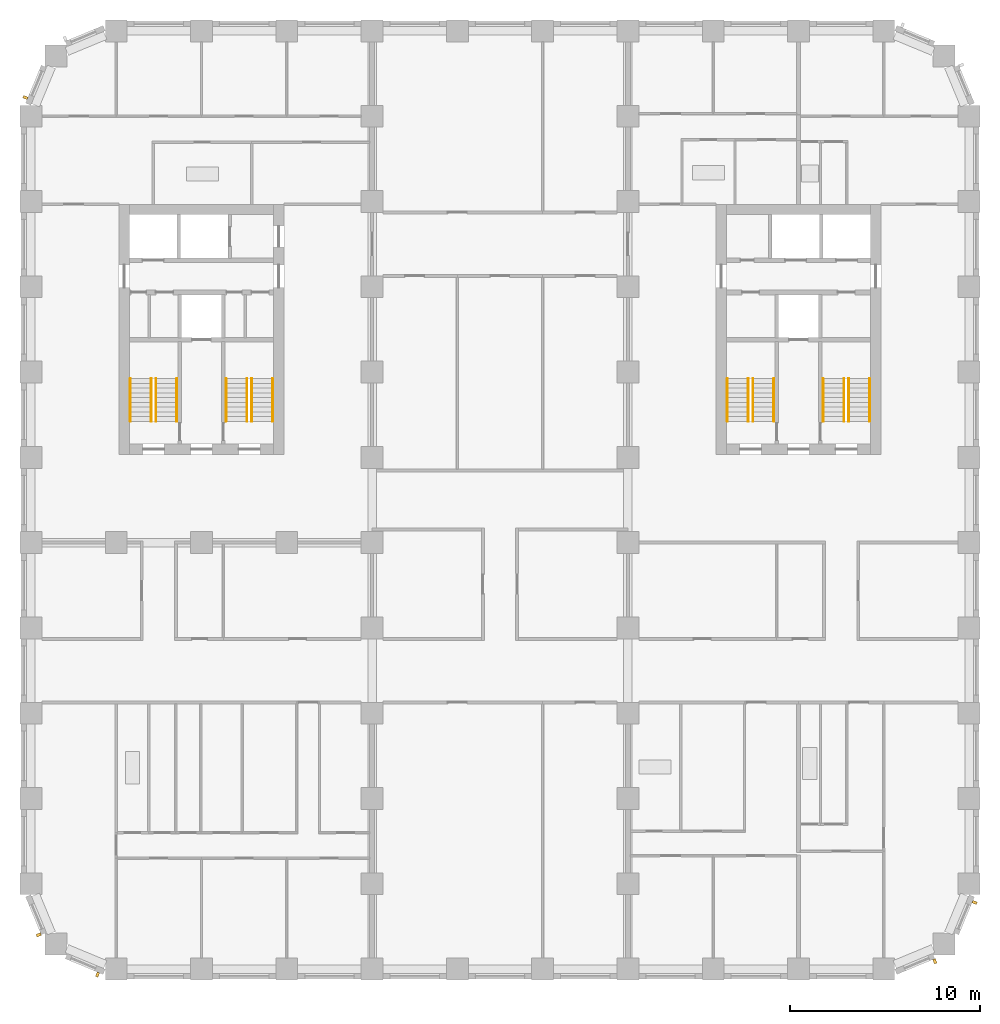
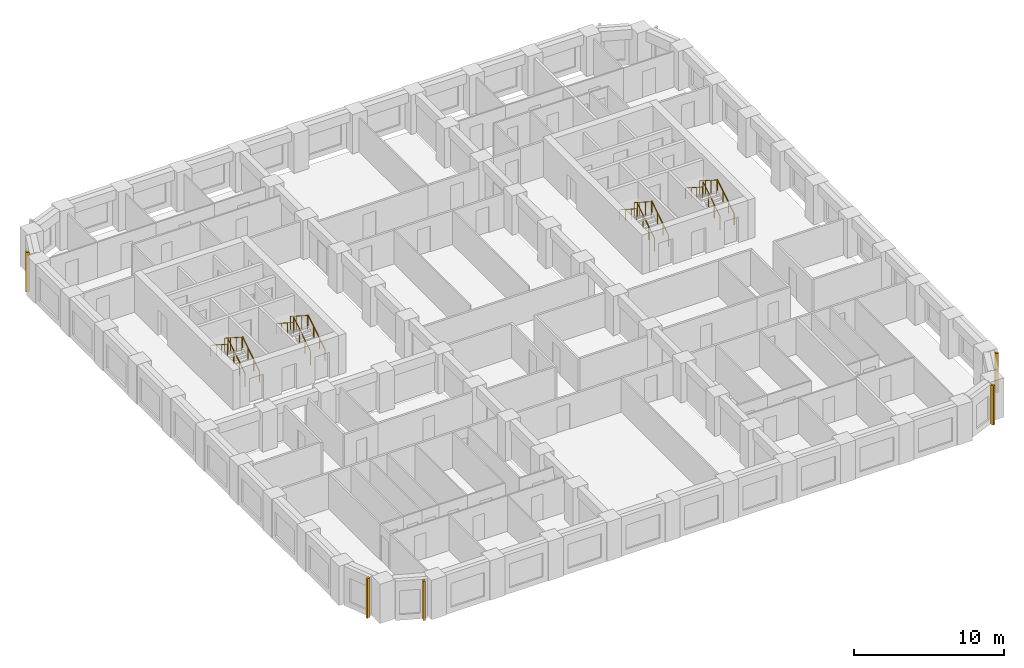
# One storey, part 11 of 13: 16 railings, 5 shading devices.
"""IFC4 building model written with IfcOpenShell, lengths in metres."""

from ifc_helpers import new_model, si_unit, direction, frame, origin, origin_2d, place, context, subcontext, project, spatial, rectangle, circle, extrude, material, type_object, element, save


model = new_model("IFC4")

# Units and contexts
model_context = context("Model", 3, precision=1e-05, world=origin(), true_north=direction((0.0, 1.0)))
body_context = subcontext(model_context, "Body", "Model", "MODEL_VIEW")
ifc_project = project(units=[si_unit("LENGTHUNIT", "METRE"), si_unit("AREAUNIT", "SQUARE_METRE"), si_unit("VOLUMEUNIT", "CUBIC_METRE"), si_unit("PLANEANGLEUNIT", "RADIAN"), si_unit("MASSUNIT", "GRAM", prefix="KILO")], contexts=[model_context])

# Site, building, storey
site_placement = place(None, origin())
site = spatial("IfcSite", under=ifc_project, at=site_placement, CompositionType="ELEMENT")
building_placement = place(site_placement, origin())
building = spatial("IfcBuilding", under=site, at=building_placement, Name="Girih Gate Residences", CompositionType="ELEMENT")
storey_placement = place(building_placement, frame((0.0, 0.0, 99.199951171875)))
storey = spatial("IfcBuildingStorey", under=building, at=storey_placement, Name="L27", CompositionType="ELEMENT", Elevation=99.199951171875)

# Shading devices
ifc_material_1 = material(Name="Precast concrete C50/60", Category="concrete")
shading_device_type = type_object("IfcShadingDeviceType", Name="Corner rib 150x250", PredefinedType="USERDEFINED", material=ifc_material_1)
for number, where, z_axis, x_axis, name in (
    (1, (0.412353515625, 1.8056640625, 0.0), (0.0, 0.0, 1.0), (0.382683432365, -0.923879532511, 0.0), "Corner rib SW0000_0045.0"),
    (2, (3.514892578125, -0.29541015625, 0.0), (0.0, 0.0, 1.0), (0.923879532511, -0.382683432365, 0.0), "Corner rib SW0013_0013.0"),
    (3, (47.6943359375, 0.412353515625, 0.0), (0.0, 0.0, 1.0), (0.923879532511, 0.382683432365, 0.0), "Corner rib SE0450_0000.0"),
    (4, (49.79541015625, 3.514892578125, 0.0), (0.0, 0.0, 1.0), (0.382683432365, 0.923879532511, 0.0), "Corner rib SE0482_0013.0"),
    (5, (-0.29541015625, 45.985107421875, 0.0), (0.0, 0.0, 1.0), (-0.382683432365, -0.923879532511, 0.0), "Corner rib NW0013_0482.0"),
):
    element("IfcShadingDevice", number, at=place(storey_placement, frame(where, z_axis=z_axis, x_axis=x_axis)), inside=storey, type_object=shading_device_type, Name=name, ObjectType="FIN", PredefinedType="USERDEFINED", context=body_context, shape_type="SweptSolid", body=[
        extrude(rectangle(XDim=0.14990234375, YDim=0.25, at=origin_2d()), origin(), (0.0, 0.0, 1.0), 3.199951171875),
    ])

# Railings
ifc_material_2 = material(Name="Stainless steel", Category="steel")
railing_type_1 = type_object("IfcRailingType", Name="Stair guard 1100", PredefinedType="GUARDRAIL", material=ifc_material_2)
railing_1_placement = place(storey_placement, frame((6.60009765625, 28.89990234375, 0.16015625)))
element("IfcRailing", 6, at=railing_1_placement, inside=storey, type_object=railing_type_1, Name="L27 ST-W1 stair guard 1", PredefinedType="GUARDRAIL", context=body_context, shape_type="SweptSolid", body=[
    extrude(circle(Radius=0.02392578125, at=origin_2d()), frame((0.0, 0.0, 1.076171875), z_axis=(0.0, 0.842281359387, 0.539038135598), x_axis=(-1.0, 0.0, 0.0)), (0.0, 0.0, 1.0), 2.67138671875),
    extrude(circle(Radius=0.02099609375, at=origin_2d()), origin(), (0.0, 0.0, 1.0), 1.052001953125),
    extrude(circle(Radius=0.02099609375, at=origin_2d()), frame((0.0, 0.75, 0.47998046875)), (0.0, 0.0, 1.0), 1.052001953125),
    extrude(circle(Radius=0.02099609375, at=origin_2d()), frame((0.0, 1.5, 0.9599609375)), (0.0, 0.0, 1.0), 1.052001953125),
    extrude(circle(Radius=0.02099609375, at=origin_2d()), frame((0.0, 2.25, 1.43994140625)), (0.0, 0.0, 1.0), 1.052001953125),
])
railing_2_placement = place(storey_placement, frame((6.35009765625, 31.14990234375, 1.760009765625)))
element("IfcRailing", 7, at=railing_2_placement, inside=storey, type_object=railing_type_1, Name="L27 ST-W1 stair guard 2", PredefinedType="GUARDRAIL", context=body_context, shape_type="SweptSolid", body=[
    extrude(circle(Radius=0.02392578125, at=origin_2d()), frame((0.0, 0.0, 1.076171875), z_axis=(0.0, -0.842281359387, 0.539038135598), x_axis=(1.0, 0.0, 0.0)), (0.0, 0.0, 1.0), 2.67138671875),
    extrude(circle(Radius=0.02099609375, at=origin_2d()), origin(), (0.0, 0.0, 1.0), 1.052001953125),
    extrude(circle(Radius=0.02099609375, at=origin_2d()), frame((0.0, -0.75, 0.47998046875)), (0.0, 0.0, 1.0), 1.052001953125),
    extrude(circle(Radius=0.02099609375, at=origin_2d()), frame((0.0, -1.5, 0.9599609375)), (0.0, 0.0, 1.0), 1.052001953125),
    extrude(circle(Radius=0.02099609375, at=origin_2d()), frame((0.0, -2.25, 1.43994140625)), (0.0, 0.0, 1.0), 1.052001953125),
])
railing_3_placement = place(storey_placement, frame((11.64990234375, 28.89990234375, 0.16015625)))
element("IfcRailing", 8, at=railing_3_placement, inside=storey, type_object=railing_type_1, Name="L27 ST-W2 stair guard 1", PredefinedType="GUARDRAIL", context=body_context, shape_type="SweptSolid", body=[
    extrude(circle(Radius=0.02392578125, at=origin_2d()), frame((0.0, 0.0, 1.076171875), z_axis=(0.0, 0.842281359387, 0.539038135598), x_axis=(-1.0, 0.0, 0.0)), (0.0, 0.0, 1.0), 2.67138671875),
    extrude(circle(Radius=0.02099609375, at=origin_2d()), origin(), (0.0, 0.0, 1.0), 1.052001953125),
    extrude(circle(Radius=0.02099609375, at=origin_2d()), frame((0.0, 0.75, 0.47998046875)), (0.0, 0.0, 1.0), 1.052001953125),
    extrude(circle(Radius=0.02099609375, at=origin_2d()), frame((0.0, 1.5, 0.9599609375)), (0.0, 0.0, 1.0), 1.052001953125),
    extrude(circle(Radius=0.02099609375, at=origin_2d()), frame((0.0, 2.25, 1.43994140625)), (0.0, 0.0, 1.0), 1.052001953125),
])
railing_4_placement = place(storey_placement, frame((11.39990234375, 31.14990234375, 1.760009765625)))
element("IfcRailing", 9, at=railing_4_placement, inside=storey, type_object=railing_type_1, Name="L27 ST-W2 stair guard 2", PredefinedType="GUARDRAIL", context=body_context, shape_type="SweptSolid", body=[
    extrude(circle(Radius=0.02392578125, at=origin_2d()), frame((0.0, 0.0, 1.076171875), z_axis=(0.0, -0.842281359387, 0.539038135598), x_axis=(1.0, 0.0, 0.0)), (0.0, 0.0, 1.0), 2.67138671875),
    extrude(circle(Radius=0.02099609375, at=origin_2d()), origin(), (0.0, 0.0, 1.0), 1.052001953125),
    extrude(circle(Radius=0.02099609375, at=origin_2d()), frame((0.0, -0.75, 0.47998046875)), (0.0, 0.0, 1.0), 1.052001953125),
    extrude(circle(Radius=0.02099609375, at=origin_2d()), frame((0.0, -1.5, 0.9599609375)), (0.0, 0.0, 1.0), 1.052001953125),
    extrude(circle(Radius=0.02099609375, at=origin_2d()), frame((0.0, -2.25, 1.43994140625)), (0.0, 0.0, 1.0), 1.052001953125),
])
railing_5_placement = place(storey_placement, frame((43.14990234375, 28.89990234375, 0.16015625)))
element("IfcRailing", 10, at=railing_5_placement, inside=storey, type_object=railing_type_1, Name="L27 ST-E1 stair guard 1", PredefinedType="GUARDRAIL", context=body_context, shape_type="SweptSolid", body=[
    extrude(circle(Radius=0.02392578125, at=origin_2d()), frame((0.0, 0.0, 1.076171875), z_axis=(0.0, 0.842281359387, 0.539038135598), x_axis=(-1.0, 0.0, 0.0)), (0.0, 0.0, 1.0), 2.67138671875),
    extrude(circle(Radius=0.02099609375, at=origin_2d()), origin(), (0.0, 0.0, 1.0), 1.052001953125),
    extrude(circle(Radius=0.02099609375, at=origin_2d()), frame((0.0, 0.75, 0.47998046875)), (0.0, 0.0, 1.0), 1.052001953125),
    extrude(circle(Radius=0.02099609375, at=origin_2d()), frame((0.0, 1.5, 0.9599609375)), (0.0, 0.0, 1.0), 1.052001953125),
    extrude(circle(Radius=0.02099609375, at=origin_2d()), frame((0.0, 2.25, 1.43994140625)), (0.0, 0.0, 1.0), 1.052001953125),
])
railing_6_placement = place(storey_placement, frame((42.89990234375, 31.14990234375, 1.760009765625)))
element("IfcRailing", 11, at=railing_6_placement, inside=storey, type_object=railing_type_1, Name="L27 ST-E1 stair guard 2", PredefinedType="GUARDRAIL", context=body_context, shape_type="SweptSolid", body=[
    extrude(circle(Radius=0.02392578125, at=origin_2d()), frame((0.0, 0.0, 1.076171875), z_axis=(0.0, -0.842281359387, 0.539038135598), x_axis=(1.0, 0.0, 0.0)), (0.0, 0.0, 1.0), 2.67138671875),
    extrude(circle(Radius=0.02099609375, at=origin_2d()), origin(), (0.0, 0.0, 1.0), 1.052001953125),
    extrude(circle(Radius=0.02099609375, at=origin_2d()), frame((0.0, -0.75, 0.47998046875)), (0.0, 0.0, 1.0), 1.052001953125),
    extrude(circle(Radius=0.02099609375, at=origin_2d()), frame((0.0, -1.5, 0.9599609375)), (0.0, 0.0, 1.0), 1.052001953125),
    extrude(circle(Radius=0.02099609375, at=origin_2d()), frame((0.0, -2.25, 1.43994140625)), (0.0, 0.0, 1.0), 1.052001953125),
])
railing_7_placement = place(storey_placement, frame((38.10009765625, 28.89990234375, 0.16015625)))
element("IfcRailing", 12, at=railing_7_placement, inside=storey, type_object=railing_type_1, Name="L27 ST-E2 stair guard 1", PredefinedType="GUARDRAIL", context=body_context, shape_type="SweptSolid", body=[
    extrude(circle(Radius=0.02392578125, at=origin_2d()), frame((0.0, 0.0, 1.076171875), z_axis=(0.0, 0.842281359387, 0.539038135598), x_axis=(-1.0, 0.0, 0.0)), (0.0, 0.0, 1.0), 2.67138671875),
    extrude(circle(Radius=0.02099609375, at=origin_2d()), origin(), (0.0, 0.0, 1.0), 1.052001953125),
    extrude(circle(Radius=0.02099609375, at=origin_2d()), frame((0.0, 0.75, 0.47998046875)), (0.0, 0.0, 1.0), 1.052001953125),
    extrude(circle(Radius=0.02099609375, at=origin_2d()), frame((0.0, 1.5, 0.9599609375)), (0.0, 0.0, 1.0), 1.052001953125),
    extrude(circle(Radius=0.02099609375, at=origin_2d()), frame((0.0, 2.25, 1.43994140625)), (0.0, 0.0, 1.0), 1.052001953125),
])
railing_8_placement = place(storey_placement, frame((37.85009765625, 31.14990234375, 1.760009765625)))
element("IfcRailing", 13, at=railing_8_placement, inside=storey, type_object=railing_type_1, Name="L27 ST-E2 stair guard 2", PredefinedType="GUARDRAIL", context=body_context, shape_type="SweptSolid", body=[
    extrude(circle(Radius=0.02392578125, at=origin_2d()), frame((0.0, 0.0, 1.076171875), z_axis=(0.0, -0.842281359387, 0.539038135598), x_axis=(1.0, 0.0, 0.0)), (0.0, 0.0, 1.0), 2.67138671875),
    extrude(circle(Radius=0.02099609375, at=origin_2d()), origin(), (0.0, 0.0, 1.0), 1.052001953125),
    extrude(circle(Radius=0.02099609375, at=origin_2d()), frame((0.0, -0.75, 0.47998046875)), (0.0, 0.0, 1.0), 1.052001953125),
    extrude(circle(Radius=0.02099609375, at=origin_2d()), frame((0.0, -1.5, 0.9599609375)), (0.0, 0.0, 1.0), 1.052001953125),
    extrude(circle(Radius=0.02099609375, at=origin_2d()), frame((0.0, -2.25, 1.43994140625)), (0.0, 0.0, 1.0), 1.052001953125),
])
railing_type_2 = type_object("IfcRailingType", Name="Stair handrail 900", PredefinedType="HANDRAIL", material=ifc_material_2)
railing_9_placement = place(storey_placement, frame((7.699951171875, 28.89990234375, 0.16015625)))
element("IfcRailing", 14, at=railing_9_placement, inside=storey, type_object=railing_type_2, Name="L27 ST-W1 stair handrail 1", PredefinedType="HANDRAIL", context=body_context, shape_type="SweptSolid", body=[
    extrude(circle(Radius=0.02392578125, at=origin_2d()), frame((0.0, 0.0, 0.8857421875), z_axis=(0.0, 0.842281359387, 0.539038135598), x_axis=(-1.0, 0.0, 0.0)), (0.0, 0.0, 1.0), 2.67138671875),
    extrude(circle(Radius=0.02099609375, at=origin_2d()), origin(), (0.0, 0.0, 1.0), 0.86181640625),
    extrude(circle(Radius=0.02099609375, at=origin_2d()), frame((0.0, 0.75, 0.47998046875)), (0.0, 0.0, 1.0), 0.86181640625),
    extrude(circle(Radius=0.02099609375, at=origin_2d()), frame((0.0, 1.5, 0.9599609375)), (0.0, 0.0, 1.0), 0.86181640625),
    extrude(circle(Radius=0.02099609375, at=origin_2d()), frame((0.0, 2.25, 1.43994140625)), (0.0, 0.0, 1.0), 0.86181640625),
])
railing_10_placement = place(storey_placement, frame((5.25, 31.14990234375, 1.760009765625)))
element("IfcRailing", 15, at=railing_10_placement, inside=storey, type_object=railing_type_2, Name="L27 ST-W1 stair handrail 2", PredefinedType="HANDRAIL", context=body_context, shape_type="SweptSolid", body=[
    extrude(circle(Radius=0.02392578125, at=origin_2d()), frame((0.0, 0.0, 0.8857421875), z_axis=(0.0, -0.842281359387, 0.539038135598), x_axis=(1.0, 0.0, 0.0)), (0.0, 0.0, 1.0), 2.67138671875),
    extrude(circle(Radius=0.02099609375, at=origin_2d()), origin(), (0.0, 0.0, 1.0), 0.86181640625),
    extrude(circle(Radius=0.02099609375, at=origin_2d()), frame((0.0, -0.75, 0.47998046875)), (0.0, 0.0, 1.0), 0.86181640625),
    extrude(circle(Radius=0.02099609375, at=origin_2d()), frame((0.0, -1.5, 0.9599609375)), (0.0, 0.0, 1.0), 0.86181640625),
    extrude(circle(Radius=0.02099609375, at=origin_2d()), frame((0.0, -2.25, 1.43994140625)), (0.0, 0.0, 1.0), 0.86181640625),
])
railing_11_placement = place(storey_placement, frame((12.75, 28.89990234375, 0.16015625)))
element("IfcRailing", 16, at=railing_11_placement, inside=storey, type_object=railing_type_2, Name="L27 ST-W2 stair handrail 1", PredefinedType="HANDRAIL", context=body_context, shape_type="SweptSolid", body=[
    extrude(circle(Radius=0.02392578125, at=origin_2d()), frame((0.0, 0.0, 0.8857421875), z_axis=(0.0, 0.842281359387, 0.539038135598), x_axis=(-1.0, 0.0, 0.0)), (0.0, 0.0, 1.0), 2.67138671875),
    extrude(circle(Radius=0.02099609375, at=origin_2d()), origin(), (0.0, 0.0, 1.0), 0.86181640625),
    extrude(circle(Radius=0.02099609375, at=origin_2d()), frame((0.0, 0.75, 0.47998046875)), (0.0, 0.0, 1.0), 0.86181640625),
    extrude(circle(Radius=0.02099609375, at=origin_2d()), frame((0.0, 1.5, 0.9599609375)), (0.0, 0.0, 1.0), 0.86181640625),
    extrude(circle(Radius=0.02099609375, at=origin_2d()), frame((0.0, 2.25, 1.43994140625)), (0.0, 0.0, 1.0), 0.86181640625),
])
railing_12_placement = place(storey_placement, frame((10.300048828125, 31.14990234375, 1.760009765625)))
element("IfcRailing", 17, at=railing_12_placement, inside=storey, type_object=railing_type_2, Name="L27 ST-W2 stair handrail 2", PredefinedType="HANDRAIL", context=body_context, shape_type="SweptSolid", body=[
    extrude(circle(Radius=0.02392578125, at=origin_2d()), frame((0.0, 0.0, 0.8857421875), z_axis=(0.0, -0.842281359387, 0.539038135598), x_axis=(1.0, 0.0, 0.0)), (0.0, 0.0, 1.0), 2.67138671875),
    extrude(circle(Radius=0.02099609375, at=origin_2d()), origin(), (0.0, 0.0, 1.0), 0.86181640625),
    extrude(circle(Radius=0.02099609375, at=origin_2d()), frame((0.0, -0.75, 0.47998046875)), (0.0, 0.0, 1.0), 0.86181640625),
    extrude(circle(Radius=0.02099609375, at=origin_2d()), frame((0.0, -1.5, 0.9599609375)), (0.0, 0.0, 1.0), 0.86181640625),
    extrude(circle(Radius=0.02099609375, at=origin_2d()), frame((0.0, -2.25, 1.43994140625)), (0.0, 0.0, 1.0), 0.86181640625),
])
railing_13_placement = place(storey_placement, frame((44.25, 28.89990234375, 0.16015625)))
element("IfcRailing", 18, at=railing_13_placement, inside=storey, type_object=railing_type_2, Name="L27 ST-E1 stair handrail 1", PredefinedType="HANDRAIL", context=body_context, shape_type="SweptSolid", body=[
    extrude(circle(Radius=0.02392578125, at=origin_2d()), frame((0.0, 0.0, 0.8857421875), z_axis=(0.0, 0.842281359387, 0.539038135598), x_axis=(-1.0, 0.0, 0.0)), (0.0, 0.0, 1.0), 2.67138671875),
    extrude(circle(Radius=0.02099609375, at=origin_2d()), origin(), (0.0, 0.0, 1.0), 0.86181640625),
    extrude(circle(Radius=0.02099609375, at=origin_2d()), frame((0.0, 0.75, 0.47998046875)), (0.0, 0.0, 1.0), 0.86181640625),
    extrude(circle(Radius=0.02099609375, at=origin_2d()), frame((0.0, 1.5, 0.9599609375)), (0.0, 0.0, 1.0), 0.86181640625),
    extrude(circle(Radius=0.02099609375, at=origin_2d()), frame((0.0, 2.25, 1.43994140625)), (0.0, 0.0, 1.0), 0.86181640625),
])
railing_14_placement = place(storey_placement, frame((41.800048828125, 31.14990234375, 1.760009765625)))
element("IfcRailing", 19, at=railing_14_placement, inside=storey, type_object=railing_type_2, Name="L27 ST-E1 stair handrail 2", PredefinedType="HANDRAIL", context=body_context, shape_type="SweptSolid", body=[
    extrude(circle(Radius=0.02392578125, at=origin_2d()), frame((0.0, 0.0, 0.8857421875), z_axis=(0.0, -0.842281359387, 0.539038135598), x_axis=(1.0, 0.0, 0.0)), (0.0, 0.0, 1.0), 2.67138671875),
    extrude(circle(Radius=0.02099609375, at=origin_2d()), origin(), (0.0, 0.0, 1.0), 0.86181640625),
    extrude(circle(Radius=0.02099609375, at=origin_2d()), frame((0.0, -0.75, 0.47998046875)), (0.0, 0.0, 1.0), 0.86181640625),
    extrude(circle(Radius=0.02099609375, at=origin_2d()), frame((0.0, -1.5, 0.9599609375)), (0.0, 0.0, 1.0), 0.86181640625),
    extrude(circle(Radius=0.02099609375, at=origin_2d()), frame((0.0, -2.25, 1.43994140625)), (0.0, 0.0, 1.0), 0.86181640625),
])
railing_15_placement = place(storey_placement, frame((39.199951171875, 28.89990234375, 0.16015625)))
element("IfcRailing", 20, at=railing_15_placement, inside=storey, type_object=railing_type_2, Name="L27 ST-E2 stair handrail 1", PredefinedType="HANDRAIL", context=body_context, shape_type="SweptSolid", body=[
    extrude(circle(Radius=0.02392578125, at=origin_2d()), frame((0.0, 0.0, 0.8857421875), z_axis=(0.0, 0.842281359387, 0.539038135598), x_axis=(-1.0, 0.0, 0.0)), (0.0, 0.0, 1.0), 2.67138671875),
    extrude(circle(Radius=0.02099609375, at=origin_2d()), origin(), (0.0, 0.0, 1.0), 0.86181640625),
    extrude(circle(Radius=0.02099609375, at=origin_2d()), frame((0.0, 0.75, 0.47998046875)), (0.0, 0.0, 1.0), 0.86181640625),
    extrude(circle(Radius=0.02099609375, at=origin_2d()), frame((0.0, 1.5, 0.9599609375)), (0.0, 0.0, 1.0), 0.86181640625),
    extrude(circle(Radius=0.02099609375, at=origin_2d()), frame((0.0, 2.25, 1.43994140625)), (0.0, 0.0, 1.0), 0.86181640625),
])
railing_16_placement = place(storey_placement, frame((36.75, 31.14990234375, 1.760009765625)))
element("IfcRailing", 21, at=railing_16_placement, inside=storey, type_object=railing_type_2, Name="L27 ST-E2 stair handrail 2", PredefinedType="HANDRAIL", context=body_context, shape_type="SweptSolid", body=[
    extrude(circle(Radius=0.02392578125, at=origin_2d()), frame((0.0, 0.0, 0.8857421875), z_axis=(0.0, -0.842281359387, 0.539038135598), x_axis=(1.0, 0.0, 0.0)), (0.0, 0.0, 1.0), 2.67138671875),
    extrude(circle(Radius=0.02099609375, at=origin_2d()), origin(), (0.0, 0.0, 1.0), 0.86181640625),
    extrude(circle(Radius=0.02099609375, at=origin_2d()), frame((0.0, -0.75, 0.47998046875)), (0.0, 0.0, 1.0), 0.86181640625),
    extrude(circle(Radius=0.02099609375, at=origin_2d()), frame((0.0, -1.5, 0.9599609375)), (0.0, 0.0, 1.0), 0.86181640625),
    extrude(circle(Radius=0.02099609375, at=origin_2d()), frame((0.0, -2.25, 1.43994140625)), (0.0, 0.0, 1.0), 0.86181640625),
])

save(model, "model.ifc")
